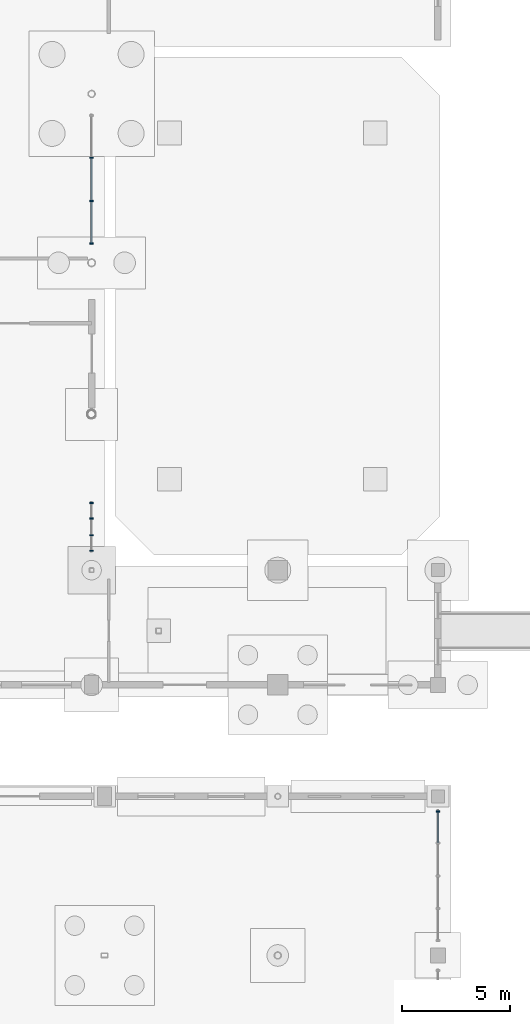
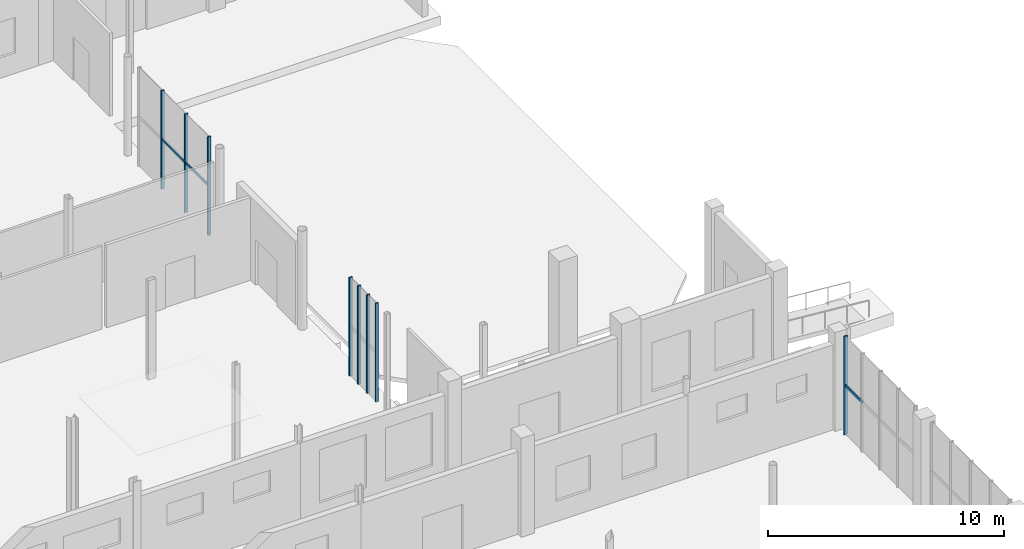
# One storey, part 52 of 87: 11 members, 3 elements without a shape of their own.
"""IFC4 building model written with IfcOpenShell, lengths in metres."""

from ifc_helpers import new_model, si_unit, direction, frame, origin, origin_2d, place, context, subcontext, project, spatial, rectangle, extrude, material, material_profile, profile_set, type_object, element, aggregate, save


model = new_model("IFC4")

# Units and contexts
model_context = context("Model", 3, precision=1e-05, world=origin(), true_north=direction((0.0, 1.0)))
body_context = subcontext(model_context, "Body", "Model", "MODEL_VIEW")
ifc_project = project(units=[si_unit("LENGTHUNIT", "METRE"), si_unit("AREAUNIT", "SQUARE_METRE"), si_unit("VOLUMEUNIT", "CUBIC_METRE"), si_unit("PLANEANGLEUNIT", "RADIAN"), si_unit("MASSUNIT", "GRAM", prefix="KILO")], contexts=[model_context])

# Site, building, storey
site_placement = place(None, origin())
site = spatial("IfcSite", under=ifc_project, at=site_placement, CompositionType="ELEMENT")
building_placement = place(site_placement, origin())
building = spatial("IfcBuilding", under=site, at=building_placement, Name="Brisemont Oceanarium", CompositionType="ELEMENT")
storey_placement = place(building_placement, origin())
storey = spatial("IfcBuildingStorey", under=building, at=storey_placement, Name="L00", CompositionType="ELEMENT", Elevation=0.0)

# Curtain wall, members
ifc_material_1 = material(Name="Anodized Extruded Aluminum 6063-T6", Category="aluminium")
curtain_wall_type_1 = type_object("IfcCurtainWallType", Name="CW-GAL-61X43", PredefinedType="NOTDEFINED", material=ifc_material_1)
curtain_wall_1_placement = place(storey_placement, origin())
curtain_wall_1 = element("IfcCurtainWall", 1, at=curtain_wall_1_placement, inside=storey, type_object=curtain_wall_type_1, Name="CW-13 curtain wall CW-V5E-MC-L00-01", PredefinedType="NOTDEFINED")
ifc_material_2 = material(Name="Anodized Extruded Aluminum 6063-T6", Category="aluminium")
ifc_material_profile_1 = material_profile(ifc_material_2, rectangle(XDim=0.06005859375, YDim=0.14990234375, at=origin_2d()), Name="CWM-60X150")
ifc_profile_set_1 = profile_set([ifc_material_profile_1], Name="Anodized Extruded Aluminum 6063-T6")
member_type_1 = type_object("IfcMemberType", Name="MEM-CWM-60", PredefinedType="MULLION", material=ifc_profile_set_1)
member_1_placement = place(storey_placement, frame((143.39990234375, 42.695068359375, 0.0), z_axis=(0.0, 0.0, 1.0), x_axis=(0.0, 1.0, 0.0)))
member_1 = element("IfcMember", 2, at=member_1_placement, type_object=member_type_1, Name="CW-V5E-MC-L00-01 mullion 1", PredefinedType="MULLION", context=body_context, shape_type="SweptSolid", body=[
    extrude(rectangle(XDim=0.06005859375, YDim=0.14990234375, at=origin_2d()), origin(), (0.0, 0.0, 1.0), 5.10009765625),
])
member_2_placement = place(storey_placement, frame((143.39990234375, 43.416748046875, 0.0), z_axis=(0.0, 0.0, 1.0), x_axis=(0.0, 1.0, 0.0)))
member_2 = element("IfcMember", 3, at=member_2_placement, type_object=member_type_1, Name="CW-V5E-MC-L00-01 mullion 2", PredefinedType="MULLION", context=body_context, shape_type="SweptSolid", body=[
    extrude(rectangle(XDim=0.06005859375, YDim=0.14990234375, at=origin_2d()), origin(), (0.0, 0.0, 1.0), 5.10009765625),
])
member_3_placement = place(storey_placement, frame((143.39990234375, 44.183349609375, 0.0), z_axis=(0.0, 0.0, 1.0), x_axis=(0.0, 1.0, 0.0)))
member_3 = element("IfcMember", 4, at=member_3_placement, type_object=member_type_1, Name="CW-V5E-MC-L00-01 mullion 3", PredefinedType="MULLION", context=body_context, shape_type="SweptSolid", body=[
    extrude(rectangle(XDim=0.06005859375, YDim=0.14990234375, at=origin_2d()), origin(), (0.0, 0.0, 1.0), 5.10009765625),
])
member_4_placement = place(storey_placement, frame((143.39990234375, 44.905029296875, 0.0), z_axis=(0.0, 0.0, 1.0), x_axis=(0.0, 1.0, 0.0)))
member_4 = element("IfcMember", 5, at=member_4_placement, type_object=member_type_1, Name="CW-V5E-MC-L00-01 mullion 4", PredefinedType="MULLION", context=body_context, shape_type="SweptSolid", body=[
    extrude(rectangle(XDim=0.06005859375, YDim=0.14990234375, at=origin_2d()), origin(), (0.0, 0.0, 1.0), 5.10009765625),
])
aggregate(curtain_wall_1, [member_1, member_2, member_3, member_4])

curtain_wall_2_placement = place(storey_placement, origin())
curtain_wall_2 = element("IfcCurtainWall", 6, at=curtain_wall_2_placement, inside=storey, type_object=curtain_wall_type_1, Name="CW-13 curtain wall CW-V5E-MCB-L00-01", PredefinedType="NOTDEFINED")
member_5_placement = place(storey_placement, frame((143.39990234375, 56.89501953125, 0.0), z_axis=(0.0, 0.0, 1.0), x_axis=(0.0, 1.0, 0.0)))
member_5 = element("IfcMember", 7, at=member_5_placement, type_object=member_type_1, Name="CW-V5E-MCB-L00-01 mullion 1", PredefinedType="MULLION", context=body_context, shape_type="SweptSolid", body=[
    extrude(rectangle(XDim=0.06005859375, YDim=0.14990234375, at=origin_2d()), origin(), (0.0, 0.0, 1.0), 5.10009765625),
])
member_6_placement = place(storey_placement, frame((143.39990234375, 58.85009765625, 0.0), z_axis=(0.0, 0.0, 1.0), x_axis=(0.0, 1.0, 0.0)))
member_6 = element("IfcMember", 8, at=member_6_placement, type_object=member_type_1, Name="CW-V5E-MCB-L00-01 mullion 2", PredefinedType="MULLION", context=body_context, shape_type="SweptSolid", body=[
    extrude(rectangle(XDim=0.06005859375, YDim=0.14990234375, at=origin_2d()), origin(), (0.0, 0.0, 1.0), 5.10009765625),
])
member_7_placement = place(storey_placement, frame((143.39990234375, 60.85009765625, 0.0), z_axis=(0.0, 0.0, 1.0), x_axis=(0.0, 1.0, 0.0)))
member_7 = element("IfcMember", 9, at=member_7_placement, type_object=member_type_1, Name="CW-V5E-MCB-L00-01 mullion 3", PredefinedType="MULLION", context=body_context, shape_type="SweptSolid", body=[
    extrude(rectangle(XDim=0.06005859375, YDim=0.14990234375, at=origin_2d()), origin(), (0.0, 0.0, 1.0), 5.10009765625),
])

# Curtain wall, member
ifc_material_3 = material(Name="Anodized Extruded Aluminum 6063-T6", Category="aluminium")
curtain_wall_type_2 = type_object("IfcCurtainWallType", Name="CW-EDU-69X45", PredefinedType="NOTDEFINED", material=ifc_material_3)
curtain_wall_3_placement = place(storey_placement, origin())
curtain_wall_3 = element("IfcCurtainWall", 10, at=curtain_wall_3_placement, inside=storey, type_object=curtain_wall_type_2, Name="CW-07 curtain wall CW-V3-E-L00-04", PredefinedType="NOTDEFINED")
ifc_material_4 = material(Name="Anodized Extruded Aluminum 6063-T6", Category="aluminium")
ifc_material_profile_2 = material_profile(ifc_material_4, rectangle(XDim=0.06494140625, YDim=0.179931640625, at=origin_2d()), Name="CWM-65X180")
ifc_profile_set_2 = profile_set([ifc_material_profile_2], Name="Anodized Extruded Aluminum 6063-T6")
member_type_2 = type_object("IfcMemberType", Name="MEM-CWM-65", PredefinedType="MULLION", material=ifc_profile_set_2)
member_8_placement = place(storey_placement, frame((159.39990234375, 30.655029296875, 0.0), z_axis=(0.0, 0.0, 1.0), x_axis=(0.0, 1.0, 0.0)))
member_8 = element("IfcMember", 11, at=member_8_placement, type_object=member_type_2, Name="CW-V3-E-L00-04 mullion 5", PredefinedType="MULLION", context=body_context, shape_type="SweptSolid", body=[
    extrude(rectangle(XDim=0.06494140625, YDim=0.179931640625, at=origin_2d()), origin(), (0.0, 0.0, 1.0), 5.10009765625),
])

# Member
ifc_material_5 = material(Name="Anodized Extruded Aluminum 6063-T6", Category="aluminium")
ifc_material_profile_3 = material_profile(ifc_material_5, rectangle(XDim=0.06005859375, YDim=0.1201171875, at=origin_2d()), Name="CWT-60X120")
ifc_profile_set_3 = profile_set([ifc_material_profile_3], Name="Anodized Extruded Aluminum 6063-T6")
member_type_3 = type_object("IfcMemberType", Name="MEM-CWT-60", PredefinedType="USERDEFINED", material=ifc_profile_set_3)
member_9_placement = place(storey_placement, frame((143.39990234375, 56.864990234375, 2.550048828125), z_axis=(0.0, 1.0, 0.0), x_axis=(-1.0, 0.0, 0.0)))
member_9 = element("IfcMember", 12, at=member_9_placement, type_object=member_type_3, Name="CW-V5E-MCB-L00-01 transom 1.1", ObjectType="TRANSOM", PredefinedType="USERDEFINED", context=body_context, shape_type="SweptSolid", body=[
    extrude(rectangle(XDim=0.06005859375, YDim=0.1201171875, at=origin_2d()), origin(), (0.0, 0.0, 1.0), 1.969970703125),
])

member_10_placement = place(storey_placement, frame((143.39990234375, 58.864990234375, 2.550048828125), z_axis=(0.0, 1.0, 0.0), x_axis=(-1.0, 0.0, 0.0)))
member_10 = element("IfcMember", 13, at=member_10_placement, type_object=member_type_3, Name="CW-V5E-MCB-L00-01 transom 2.1", ObjectType="TRANSOM", PredefinedType="USERDEFINED", context=body_context, shape_type="SweptSolid", body=[
    extrude(rectangle(XDim=0.06005859375, YDim=0.1201171875, at=origin_2d()), origin(), (0.0, 0.0, 1.0), 1.969970703125),
])

aggregate(curtain_wall_2, [member_5, member_6, member_7, member_9, member_10])

ifc_material_6 = material(Name="Anodized Extruded Aluminum 6063-T6", Category="aluminium")
ifc_material_profile_4 = material_profile(ifc_material_6, rectangle(XDim=0.06494140625, YDim=0.139892578125, at=origin_2d()), Name="CWT-65X140")
ifc_profile_set_4 = profile_set([ifc_material_profile_4], Name="Anodized Extruded Aluminum 6063-T6")
member_type_4 = type_object("IfcMemberType", Name="MEM-CWT-65", PredefinedType="USERDEFINED", material=ifc_profile_set_4)
member_11_placement = place(storey_placement, frame((159.39990234375, 29.202392578125, 2.550048828125), z_axis=(0.0, 1.0, 0.0), x_axis=(-1.0, 0.0, 0.0)))
member_11 = element("IfcMember", 14, at=member_11_placement, type_object=member_type_4, Name="CW-V3-E-L00-04 transom 4.1", ObjectType="TRANSOM", PredefinedType="USERDEFINED", context=body_context, shape_type="SweptSolid", body=[
    extrude(rectangle(XDim=0.06494140625, YDim=0.139892578125, at=origin_2d()), origin(), (0.0, 0.0, 1.0), 1.482666015625),
])

aggregate(curtain_wall_3, [member_8, member_11])

save(model, "model.ifc")
